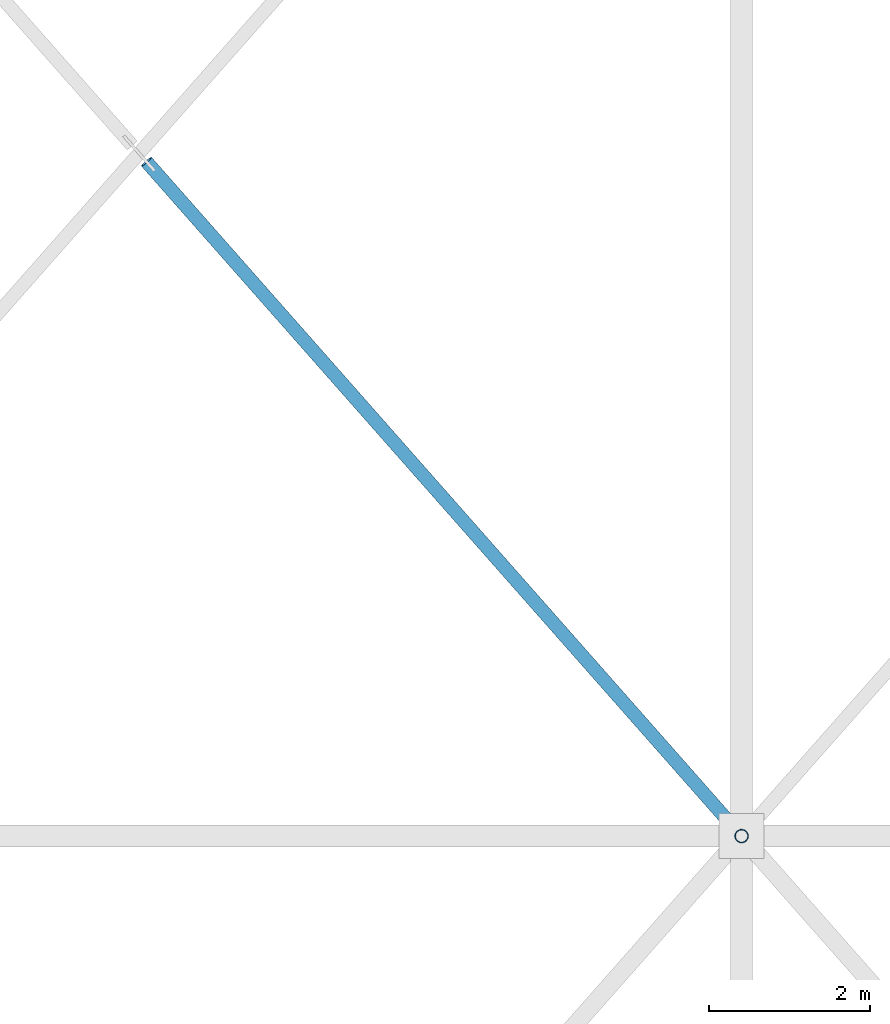
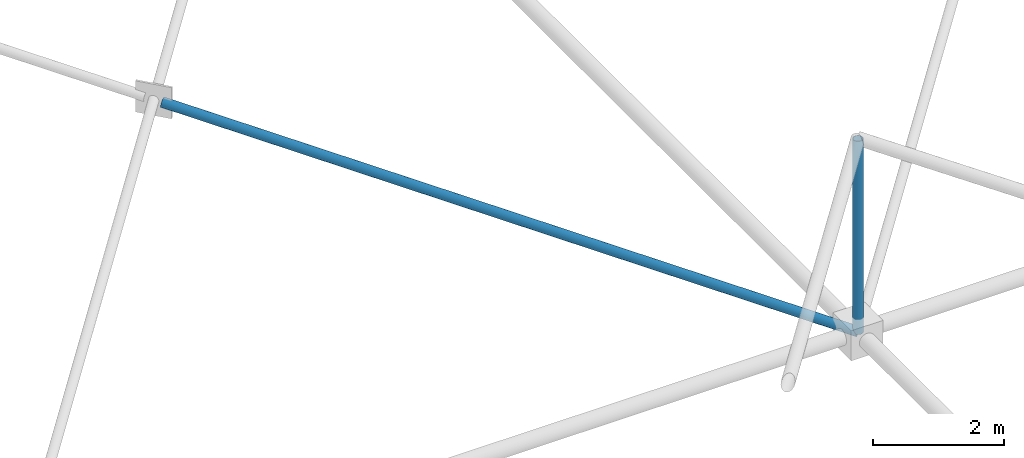
# One storey, part 54 of 224: 2 members.
"""IFC4 building model written with IfcOpenShell, lengths in metres."""

from ifc_helpers import new_model, si_unit, direction, frame, origin, origin_2d, place, context, subcontext, project, spatial, hollow_circle, extrude, material, material_profile, profile_set, type_object, element, save


model = new_model("IFC4")

# Units and contexts
model_context = context("Model", 3, precision=1e-05, world=origin(), true_north=direction((0.0, 1.0)))
body_context = subcontext(model_context, "Body", "Model", "MODEL_VIEW")
ifc_project = project(units=[si_unit("LENGTHUNIT", "METRE"), si_unit("AREAUNIT", "SQUARE_METRE"), si_unit("VOLUMEUNIT", "CUBIC_METRE"), si_unit("PLANEANGLEUNIT", "RADIAN"), si_unit("MASSUNIT", "GRAM", prefix="KILO")], contexts=[model_context])

# Site, building, storey
site_placement = place(None, origin())
site = spatial("IfcSite", under=ifc_project, at=site_placement, CompositionType="ELEMENT")
building_placement = place(site_placement, origin())
building = spatial("IfcBuilding", under=site, at=building_placement, Name="Qamarlyn Nura Convention Centre", CompositionType="ELEMENT")
storey_placement = place(building_placement, frame((0.0, 0.0, 10.800048828125)))
storey = spatial("IfcBuildingStorey", under=building, at=storey_placement, Name="L02", CompositionType="ELEMENT", Elevation=10.800048828125)

# Members
ifc_material = material(Name="Pearl-white PVDF steel ASTM A500 Grade C", Category="steel")
ifc_material_profile = material_profile(ifc_material, hollow_circle(Radius=0.084228515625, WallThickness=0.008056640625, at=origin_2d()), Name="CHS168.3X8")
ifc_profile_set = profile_set([ifc_material_profile], Name="Pearl-white PVDF steel ASTM A500 Grade C")
member_type = type_object("IfcMemberType", Name="SF-WEB-STD", PredefinedType="BRACE", material=ifc_profile_set)
member_1_placement = place(storey_placement, frame((75.0, 35.0, 0.800048828125), z_axis=(-0.653436826791, 0.740561737029, 0.156807611557), x_axis=(-0.749837855365, -0.661621637087, 0.0)))
element("IfcMember", 1, at=member_1_placement, inside=storey, type_object=member_type, Name="ROOF TRUSS space frame split diagonal B1 6-3", PredefinedType="BRACE", context=body_context, shape_type="SweptSolid", body=[
    extrude(hollow_circle(Radius=0.084228515625, WallThickness=0.008056640625, at=origin_2d()), origin(), (0.0, 0.0, 1.0), 11.337646484375),
])
member_2_placement = place(storey_placement, frame((75.0, 35.0, 0.800048828125), z_axis=(0.0, 0.0, 1.0), x_axis=(1.0, 0.0, 0.0)))
element("IfcMember", 2, at=member_2_placement, inside=storey, type_object=member_type, Name="ROOF TRUSS space frame vertical 7-3", PredefinedType="BRACE", context=body_context, shape_type="SweptSolid", body=[
    extrude(hollow_circle(Radius=0.084228515625, WallThickness=0.008056640625, at=origin_2d()), origin(), (0.0, 0.0, 1.0), 3.599853515625),
])

save(model, "model.ifc")
